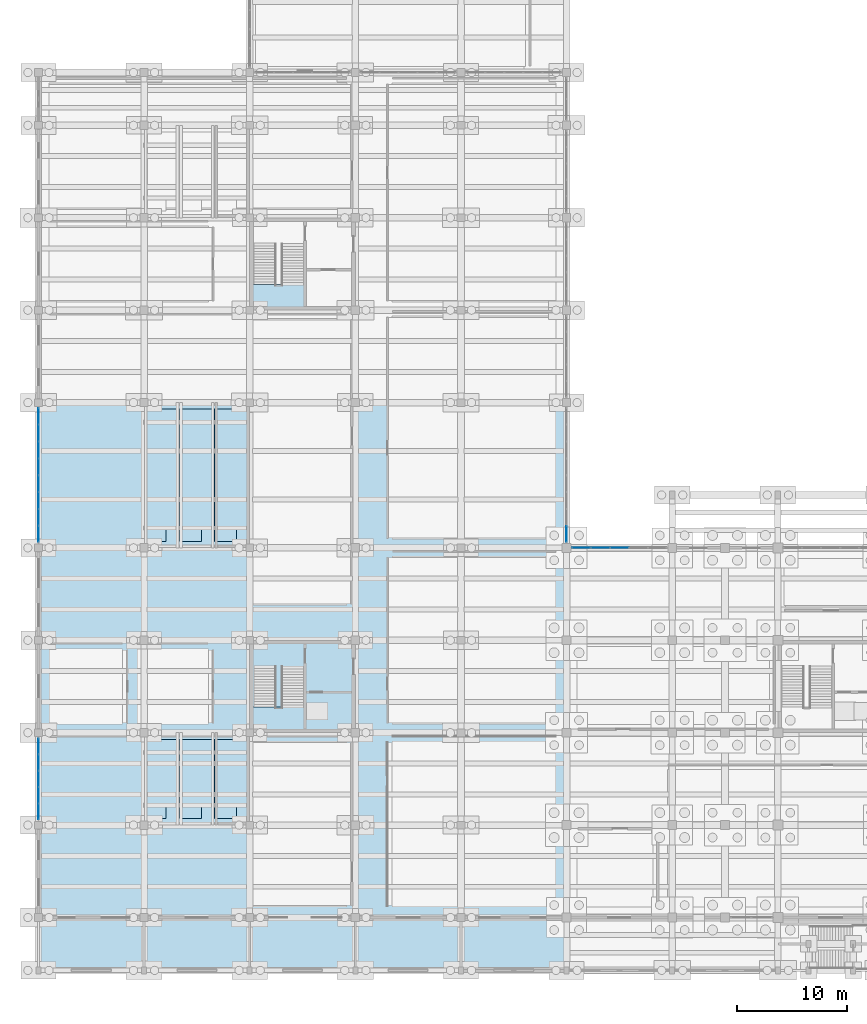
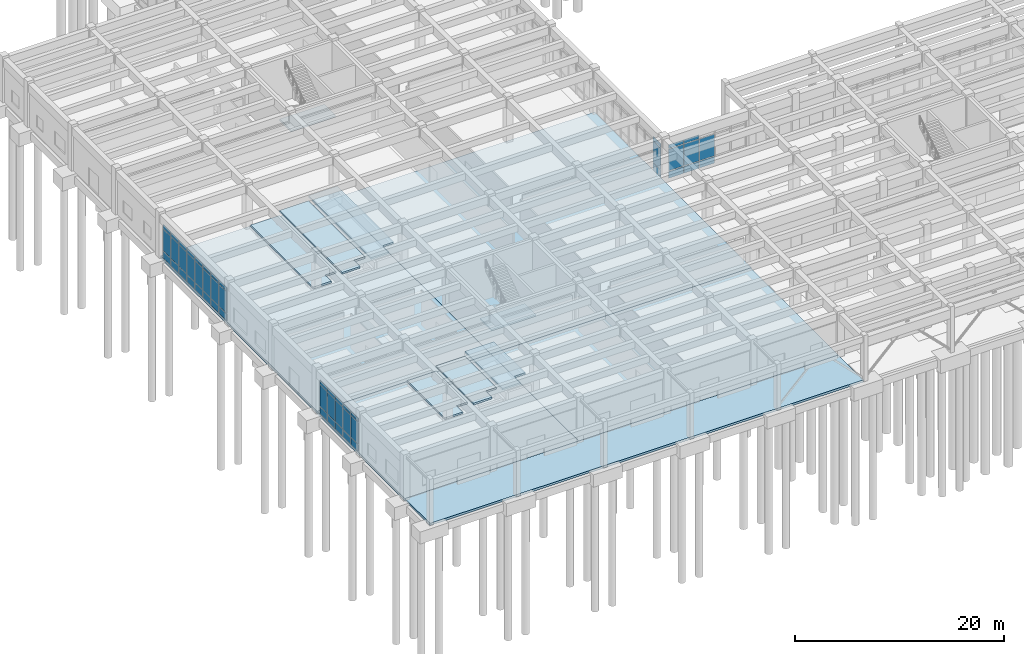
# One storey, part 56 of 102: 50 plates, 13 slabs, 6 elements without a shape of their own.
"""IFC4 building model written with IfcOpenShell, lengths in metres."""

from ifc_helpers import new_model, si_unit, direction, frame, origin, origin_2d, place, context, subcontext, project, spatial, polyline, rectangle, outline, extrude, material, layer, layer_set, type_object, element, aggregate, save


model = new_model("IFC4")

# Units and contexts
model_context = context("Model", 3, precision=1e-05, world=origin(), true_north=direction((0.0, 1.0)))
body_context = subcontext(model_context, "Body", "Model", "MODEL_VIEW")
ifc_project = project(units=[si_unit("LENGTHUNIT", "METRE"), si_unit("AREAUNIT", "SQUARE_METRE"), si_unit("VOLUMEUNIT", "CUBIC_METRE"), si_unit("PLANEANGLEUNIT", "RADIAN"), si_unit("MASSUNIT", "GRAM", prefix="KILO")], contexts=[model_context])

# Site, building, storey
site_placement = place(None, origin())
site = spatial("IfcSite", under=ifc_project, at=site_placement, CompositionType="ELEMENT")
building_placement = place(site_placement, origin())
building = spatial("IfcBuilding", under=site, at=building_placement, Name="Kolvemor Railside Polytechnic", CompositionType="ELEMENT")
storey_placement = place(building_placement, origin())
storey = spatial("IfcBuildingStorey", under=building, at=storey_placement, Name="L00", CompositionType="ELEMENT", Elevation=0.0)

# Curtain wall, plates
ifc_material_1 = material(Name="Anodised marine aluminium and laminated low-E glass", Category="aluminium")
ifc_layer_1 = layer(ifc_material_1, 0.179931640625, Name="CW-UNIT-STD")
ifc_layer_set_1 = layer_set([ifc_layer_1], Name="Anodised marine aluminium and laminated low-E glass")
curtain_wall_type = type_object("IfcCurtainWallType", Name="CW-UNIT-STD", PredefinedType="USERDEFINED", material=ifc_layer_set_1)
curtain_wall_1_placement = place(storey_placement, origin())
curtain_wall_1 = element("IfcCurtainWall", 1, at=curtain_wall_1_placement, inside=storey, type_object=curtain_wall_type, Name="Curtain Wall L00-106", ObjectType="UNITISED CURTAIN WALL", PredefinedType="USERDEFINED")
ifc_material_2 = material(Name="Hurricane-laminated solar-control low-E glass", Category="glass")
ifc_layer_2 = layer(ifc_material_2, 0.02392578125, Name="CWP-GLZ-02")
ifc_layer_set_2 = layer_set([ifc_layer_2], Name="Hurricane-laminated solar-control low-E glass")
plate_type_1 = type_object("IfcPlateType", Name="CWP-GLZ-02", PredefinedType="CURTAIN_PANEL", material=ifc_layer_set_2)
plate_1_placement = place(storey_placement, frame((52.800048828125, 38.39990234375, 0.06494140625), z_axis=(0.0, 0.0, 1.0), x_axis=(-1.0, 0.0, 0.0)))
plate_1 = element("IfcPlate", 2, at=plate_1_placement, type_object=plate_type_1, Name="CW-STD panel 3.1", PredefinedType="CURTAIN_PANEL", context=body_context, shape_type="SweptSolid", body=[
    extrude(rectangle(XDim=1.6669921875, YDim=0.02392578125, at=origin_2d()), origin(), (0.0, 0.0, 1.0), 0.802490234375),
])
plate_2_placement = place(storey_placement, frame((52.800048828125, 38.39990234375, 0.9326171875), z_axis=(0.0, 0.0, 1.0), x_axis=(-1.0, 0.0, 0.0)))
plate_2 = element("IfcPlate", 3, at=plate_2_placement, type_object=plate_type_1, Name="CW-STD panel 3.2", PredefinedType="CURTAIN_PANEL", context=body_context, shape_type="SweptSolid", body=[
    extrude(rectangle(XDim=1.6669921875, YDim=0.02392578125, at=origin_2d()), origin(), (0.0, 0.0, 1.0), 2.52490234375),
])
plate_3_placement = place(storey_placement, frame((51.068115234375, 38.39990234375, 0.06494140625), z_axis=(0.0, 0.0, 1.0), x_axis=(-1.0, 0.0, 0.0)))
plate_3 = element("IfcPlate", 4, at=plate_3_placement, type_object=plate_type_1, Name="CW-STD panel 4.1", PredefinedType="CURTAIN_PANEL", context=body_context, shape_type="SweptSolid", body=[
    extrude(rectangle(XDim=1.6669921875, YDim=0.02392578125, at=origin_2d()), origin(), (0.0, 0.0, 1.0), 0.802490234375),
])
plate_4_placement = place(storey_placement, frame((51.068115234375, 38.39990234375, 0.9326171875), z_axis=(0.0, 0.0, 1.0), x_axis=(-1.0, 0.0, 0.0)))
plate_4 = element("IfcPlate", 5, at=plate_4_placement, type_object=plate_type_1, Name="CW-STD panel 4.2", PredefinedType="CURTAIN_PANEL", context=body_context, shape_type="SweptSolid", body=[
    extrude(rectangle(XDim=1.6669921875, YDim=0.02392578125, at=origin_2d()), origin(), (0.0, 0.0, 1.0), 2.52490234375),
])
plate_5_placement = place(storey_placement, frame((51.068115234375, 38.39990234375, 3.5224609375), z_axis=(0.0, 0.0, 1.0), x_axis=(-1.0, 0.0, 0.0)))
plate_5 = element("IfcPlate", 6, at=plate_5_placement, type_object=plate_type_1, Name="CW-STD panel 4.3", PredefinedType="CURTAIN_PANEL", context=body_context, shape_type="SweptSolid", body=[
    extrude(rectangle(XDim=1.6669921875, YDim=0.02392578125, at=origin_2d()), origin(), (0.0, 0.0, 1.0), 0.452392578125),
])
plate_6_placement = place(storey_placement, frame((49.352294921875, 38.39990234375, 0.06494140625), z_axis=(0.0, 0.0, 1.0), x_axis=(-1.0, 0.0, 0.0)))
plate_6 = element("IfcPlate", 7, at=plate_6_placement, type_object=plate_type_1, Name="CW-STD panel 5.1", PredefinedType="CURTAIN_PANEL", context=body_context, shape_type="SweptSolid", body=[
    extrude(rectangle(XDim=1.634521484375, YDim=0.02392578125, at=origin_2d()), origin(), (0.0, 0.0, 1.0), 0.802490234375),
])
plate_7_placement = place(storey_placement, frame((49.352294921875, 38.39990234375, 0.9326171875), z_axis=(0.0, 0.0, 1.0), x_axis=(-1.0, 0.0, 0.0)))
plate_7 = element("IfcPlate", 8, at=plate_7_placement, type_object=plate_type_1, Name="CW-STD panel 5.2", PredefinedType="CURTAIN_PANEL", context=body_context, shape_type="SweptSolid", body=[
    extrude(rectangle(XDim=1.634521484375, YDim=0.02392578125, at=origin_2d()), origin(), (0.0, 0.0, 1.0), 2.52490234375),
])
plate_8_placement = place(storey_placement, frame((49.352294921875, 38.39990234375, 3.5224609375), z_axis=(0.0, 0.0, 1.0), x_axis=(-1.0, 0.0, 0.0)))
plate_8 = element("IfcPlate", 9, at=plate_8_placement, type_object=plate_type_1, Name="CW-STD panel 5.3", PredefinedType="CURTAIN_PANEL", context=body_context, shape_type="SweptSolid", body=[
    extrude(rectangle(XDim=1.634521484375, YDim=0.02392578125, at=origin_2d()), origin(), (0.0, 0.0, 1.0), 0.452392578125),
])
aggregate(curtain_wall_1, [plate_1, plate_2, plate_3, plate_4, plate_5, plate_6, plate_7, plate_8])

curtain_wall_2_placement = place(storey_placement, origin())
curtain_wall_2 = element("IfcCurtainWall", 10, at=curtain_wall_2_placement, inside=storey, type_object=curtain_wall_type, Name="Curtain Wall L00-046", ObjectType="UNITISED CURTAIN WALL", PredefinedType="USERDEFINED")
ifc_material_3 = material(Name="Hurricane-laminated solar-control low-E glass", Category="glass")
ifc_layer_3 = layer(ifc_material_3, 0.02587890625, Name="CWP-GLZ-03")
ifc_layer_set_3 = layer_set([ifc_layer_3], Name="Hurricane-laminated solar-control low-E glass")
plate_type_2 = type_object("IfcPlateType", Name="CWP-GLZ-03", PredefinedType="CURTAIN_PANEL", material=ifc_layer_set_3)
plate_9_placement = place(storey_placement, frame((0.0, 20.36767578125, 0.06494140625), z_axis=(0.0, 0.0, 1.0), x_axis=(0.0, -1.0, 0.0)))
plate_9 = element("IfcPlate", 11, at=plate_9_placement, type_object=plate_type_2, Name="CW-STD panel 1.1", PredefinedType="CURTAIN_PANEL", context=body_context, shape_type="SweptSolid", body=[
    extrude(rectangle(XDim=1.39453125, YDim=0.02587890625, at=origin_2d()), origin(), (0.0, 0.0, 1.0), 0.802490234375),
])
plate_10_placement = place(storey_placement, frame((0.0, 20.36767578125, 0.9326171875), z_axis=(0.0, 0.0, 1.0), x_axis=(0.0, -1.0, 0.0)))
plate_10 = element("IfcPlate", 12, at=plate_10_placement, type_object=plate_type_2, Name="CW-STD panel 1.2", PredefinedType="CURTAIN_PANEL", context=body_context, shape_type="SweptSolid", body=[
    extrude(rectangle(XDim=1.39453125, YDim=0.02587890625, at=origin_2d()), origin(), (0.0, 0.0, 1.0), 2.52490234375),
])
plate_11_placement = place(storey_placement, frame((0.0, 20.36767578125, 3.5224609375), z_axis=(0.0, 0.0, 1.0), x_axis=(0.0, -1.0, 0.0)))
plate_11 = element("IfcPlate", 13, at=plate_11_placement, type_object=plate_type_2, Name="CW-STD panel 1.3", PredefinedType="CURTAIN_PANEL", context=body_context, shape_type="SweptSolid", body=[
    extrude(rectangle(XDim=1.39453125, YDim=0.02587890625, at=origin_2d()), origin(), (0.0, 0.0, 1.0), 0.452392578125),
])
plate_12_placement = place(storey_placement, frame((0.0, 18.89208984375, 0.06494140625), z_axis=(0.0, 0.0, 1.0), x_axis=(0.0, -1.0, 0.0)))
plate_12 = element("IfcPlate", 14, at=plate_12_placement, type_object=plate_type_2, Name="CW-STD panel 2.1", PredefinedType="CURTAIN_PANEL", context=body_context, shape_type="SweptSolid", body=[
    extrude(rectangle(XDim=1.427001953125, YDim=0.02587890625, at=origin_2d()), origin(), (0.0, 0.0, 1.0), 0.802490234375),
])
plate_13_placement = place(storey_placement, frame((0.0, 18.89208984375, 0.9326171875), z_axis=(0.0, 0.0, 1.0), x_axis=(0.0, -1.0, 0.0)))
plate_13 = element("IfcPlate", 15, at=plate_13_placement, type_object=plate_type_2, Name="CW-STD panel 2.2", PredefinedType="CURTAIN_PANEL", context=body_context, shape_type="SweptSolid", body=[
    extrude(rectangle(XDim=1.427001953125, YDim=0.02587890625, at=origin_2d()), origin(), (0.0, 0.0, 1.0), 2.52490234375),
])
plate_14_placement = place(storey_placement, frame((0.0, 18.89208984375, 3.5224609375), z_axis=(0.0, 0.0, 1.0), x_axis=(0.0, -1.0, 0.0)))
plate_14 = element("IfcPlate", 16, at=plate_14_placement, type_object=plate_type_2, Name="CW-STD panel 2.3", PredefinedType="CURTAIN_PANEL", context=body_context, shape_type="SweptSolid", body=[
    extrude(rectangle(XDim=1.427001953125, YDim=0.02587890625, at=origin_2d()), origin(), (0.0, 0.0, 1.0), 0.452392578125),
])
plate_15_placement = place(storey_placement, frame((0.0, 17.39990234375, 0.06494140625), z_axis=(0.0, 0.0, 1.0), x_axis=(0.0, -1.0, 0.0)))
plate_15 = element("IfcPlate", 17, at=plate_15_placement, type_object=plate_type_2, Name="CW-STD panel 3.1", PredefinedType="CURTAIN_PANEL", context=body_context, shape_type="SweptSolid", body=[
    extrude(rectangle(XDim=1.427001953125, YDim=0.02587890625, at=origin_2d()), origin(), (0.0, 0.0, 1.0), 0.802490234375),
])
plate_16_placement = place(storey_placement, frame((0.0, 17.39990234375, 0.9326171875), z_axis=(0.0, 0.0, 1.0), x_axis=(0.0, -1.0, 0.0)))
plate_16 = element("IfcPlate", 18, at=plate_16_placement, type_object=plate_type_2, Name="CW-STD panel 3.2", PredefinedType="CURTAIN_PANEL", context=body_context, shape_type="SweptSolid", body=[
    extrude(rectangle(XDim=1.427001953125, YDim=0.02587890625, at=origin_2d()), origin(), (0.0, 0.0, 1.0), 2.52490234375),
])
plate_17_placement = place(storey_placement, frame((0.0, 17.39990234375, 3.5224609375), z_axis=(0.0, 0.0, 1.0), x_axis=(0.0, -1.0, 0.0)))
plate_17 = element("IfcPlate", 19, at=plate_17_placement, type_object=plate_type_2, Name="CW-STD panel 3.3", PredefinedType="CURTAIN_PANEL", context=body_context, shape_type="SweptSolid", body=[
    extrude(rectangle(XDim=1.427001953125, YDim=0.02587890625, at=origin_2d()), origin(), (0.0, 0.0, 1.0), 0.452392578125),
])
plate_18_placement = place(storey_placement, frame((0.0, 15.907958984375, 0.06494140625), z_axis=(0.0, 0.0, 1.0), x_axis=(0.0, -1.0, 0.0)))
plate_18 = element("IfcPlate", 20, at=plate_18_placement, type_object=plate_type_2, Name="CW-STD panel 4.1", PredefinedType="CURTAIN_PANEL", context=body_context, shape_type="SweptSolid", body=[
    extrude(rectangle(XDim=1.427001953125, YDim=0.02587890625, at=origin_2d()), origin(), (0.0, 0.0, 1.0), 0.802490234375),
])
plate_19_placement = place(storey_placement, frame((0.0, 15.907958984375, 0.9326171875), z_axis=(0.0, 0.0, 1.0), x_axis=(0.0, -1.0, 0.0)))
plate_19 = element("IfcPlate", 21, at=plate_19_placement, type_object=plate_type_2, Name="CW-STD panel 4.2", PredefinedType="CURTAIN_PANEL", context=body_context, shape_type="SweptSolid", body=[
    extrude(rectangle(XDim=1.427001953125, YDim=0.02587890625, at=origin_2d()), origin(), (0.0, 0.0, 1.0), 2.52490234375),
])
plate_20_placement = place(storey_placement, frame((0.0, 15.907958984375, 3.5224609375), z_axis=(0.0, 0.0, 1.0), x_axis=(0.0, -1.0, 0.0)))
plate_20 = element("IfcPlate", 22, at=plate_20_placement, type_object=plate_type_2, Name="CW-STD panel 4.3", PredefinedType="CURTAIN_PANEL", context=body_context, shape_type="SweptSolid", body=[
    extrude(rectangle(XDim=1.427001953125, YDim=0.02587890625, at=origin_2d()), origin(), (0.0, 0.0, 1.0), 0.452392578125),
])
plate_21_placement = place(storey_placement, frame((0.0, 14.43212890625, 0.06494140625), z_axis=(0.0, 0.0, 1.0), x_axis=(0.0, -1.0, 0.0)))
plate_21 = element("IfcPlate", 23, at=plate_21_placement, type_object=plate_type_2, Name="CW-STD panel 5.1", PredefinedType="CURTAIN_PANEL", context=body_context, shape_type="SweptSolid", body=[
    extrude(rectangle(XDim=1.39453125, YDim=0.02587890625, at=origin_2d()), origin(), (0.0, 0.0, 1.0), 0.802490234375),
])
plate_22_placement = place(storey_placement, frame((0.0, 14.43212890625, 0.9326171875), z_axis=(0.0, 0.0, 1.0), x_axis=(0.0, -1.0, 0.0)))
plate_22 = element("IfcPlate", 24, at=plate_22_placement, type_object=plate_type_2, Name="CW-STD panel 5.2", PredefinedType="CURTAIN_PANEL", context=body_context, shape_type="SweptSolid", body=[
    extrude(rectangle(XDim=1.39453125, YDim=0.02587890625, at=origin_2d()), origin(), (0.0, 0.0, 1.0), 2.52490234375),
])
plate_23_placement = place(storey_placement, frame((0.0, 14.43212890625, 3.5224609375), z_axis=(0.0, 0.0, 1.0), x_axis=(0.0, -1.0, 0.0)))
plate_23 = element("IfcPlate", 25, at=plate_23_placement, type_object=plate_type_2, Name="CW-STD panel 5.3", PredefinedType="CURTAIN_PANEL", context=body_context, shape_type="SweptSolid", body=[
    extrude(rectangle(XDim=1.39453125, YDim=0.02587890625, at=origin_2d()), origin(), (0.0, 0.0, 1.0), 0.452392578125),
])
aggregate(curtain_wall_2, [plate_9, plate_10, plate_11, plate_12, plate_13, plate_14, plate_15, plate_16, plate_17, plate_18, plate_19, plate_20, plate_21, plate_22, plate_23])

curtain_wall_3_placement = place(storey_placement, origin())
curtain_wall_3 = element("IfcCurtainWall", 26, at=curtain_wall_3_placement, inside=storey, type_object=curtain_wall_type, Name="Curtain Wall L00-052", ObjectType="UNITISED CURTAIN WALL", PredefinedType="USERDEFINED")
ifc_material_4 = material(Name="Hurricane-laminated solar-control low-E glass", Category="glass")
ifc_layer_4 = layer(ifc_material_4, 0.031982421875, Name="CWP-GLZ-06")
ifc_layer_set_4 = layer_set([ifc_layer_4], Name="Hurricane-laminated solar-control low-E glass")
plate_type_3 = type_object("IfcPlateType", Name="CWP-GLZ-06", PredefinedType="CURTAIN_PANEL", material=ifc_layer_set_4)
plate_24_placement = place(storey_placement, frame((0.0, 50.347412109375, 0.06494140625), z_axis=(0.0, 0.0, 1.0), x_axis=(0.0, -1.0, 0.0)))
plate_24 = element("IfcPlate", 27, at=plate_24_placement, type_object=plate_type_3, Name="CW-STD panel 1.1", PredefinedType="CURTAIN_PANEL", context=body_context, shape_type="SweptSolid", body=[
    extrude(rectangle(XDim=1.43505859375, YDim=0.031982421875, at=origin_2d()), origin(), (0.0, 0.0, 1.0), 0.802490234375),
])
plate_25_placement = place(storey_placement, frame((0.0, 50.347412109375, 0.9326171875), z_axis=(0.0, 0.0, 1.0), x_axis=(0.0, -1.0, 0.0)))
plate_25 = element("IfcPlate", 28, at=plate_25_placement, type_object=plate_type_3, Name="CW-STD panel 1.2", PredefinedType="CURTAIN_PANEL", context=body_context, shape_type="SweptSolid", body=[
    extrude(rectangle(XDim=1.43505859375, YDim=0.031982421875, at=origin_2d()), origin(), (0.0, 0.0, 1.0), 2.52490234375),
])
plate_26_placement = place(storey_placement, frame((0.0, 50.347412109375, 3.5224609375), z_axis=(0.0, 0.0, 1.0), x_axis=(0.0, -1.0, 0.0)))
plate_26 = element("IfcPlate", 29, at=plate_26_placement, type_object=plate_type_3, Name="CW-STD panel 1.3", PredefinedType="CURTAIN_PANEL", context=body_context, shape_type="SweptSolid", body=[
    extrude(rectangle(XDim=1.43505859375, YDim=0.031982421875, at=origin_2d()), origin(), (0.0, 0.0, 1.0), 0.452392578125),
])
plate_27_placement = place(storey_placement, frame((0.0, 48.831298828125, 0.06494140625), z_axis=(0.0, 0.0, 1.0), x_axis=(0.0, -1.0, 0.0)))
plate_27 = element("IfcPlate", 30, at=plate_27_placement, type_object=plate_type_3, Name="CW-STD panel 2.1", PredefinedType="CURTAIN_PANEL", context=body_context, shape_type="SweptSolid", body=[
    extrude(rectangle(XDim=1.467529296875, YDim=0.031982421875, at=origin_2d()), origin(), (0.0, 0.0, 1.0), 0.802490234375),
])
plate_28_placement = place(storey_placement, frame((0.0, 48.831298828125, 0.9326171875), z_axis=(0.0, 0.0, 1.0), x_axis=(0.0, -1.0, 0.0)))
plate_28 = element("IfcPlate", 31, at=plate_28_placement, type_object=plate_type_3, Name="CW-STD panel 2.2", PredefinedType="CURTAIN_PANEL", context=body_context, shape_type="SweptSolid", body=[
    extrude(rectangle(XDim=1.467529296875, YDim=0.031982421875, at=origin_2d()), origin(), (0.0, 0.0, 1.0), 2.52490234375),
])
plate_29_placement = place(storey_placement, frame((0.0, 48.831298828125, 3.5224609375), z_axis=(0.0, 0.0, 1.0), x_axis=(0.0, -1.0, 0.0)))
plate_29 = element("IfcPlate", 32, at=plate_29_placement, type_object=plate_type_3, Name="CW-STD panel 2.3", PredefinedType="CURTAIN_PANEL", context=body_context, shape_type="SweptSolid", body=[
    extrude(rectangle(XDim=1.467529296875, YDim=0.031982421875, at=origin_2d()), origin(), (0.0, 0.0, 1.0), 0.452392578125),
])
plate_30_placement = place(storey_placement, frame((0.0, 47.298828125, 0.06494140625), z_axis=(0.0, 0.0, 1.0), x_axis=(0.0, -1.0, 0.0)))
plate_30 = element("IfcPlate", 33, at=plate_30_placement, type_object=plate_type_3, Name="CW-STD panel 3.1", PredefinedType="CURTAIN_PANEL", context=body_context, shape_type="SweptSolid", body=[
    extrude(rectangle(XDim=1.467529296875, YDim=0.031982421875, at=origin_2d()), origin(), (0.0, 0.0, 1.0), 0.802490234375),
])
plate_31_placement = place(storey_placement, frame((0.0, 47.298828125, 0.9326171875), z_axis=(0.0, 0.0, 1.0), x_axis=(0.0, -1.0, 0.0)))
plate_31 = element("IfcPlate", 34, at=plate_31_placement, type_object=plate_type_3, Name="CW-STD panel 3.2", PredefinedType="CURTAIN_PANEL", context=body_context, shape_type="SweptSolid", body=[
    extrude(rectangle(XDim=1.467529296875, YDim=0.031982421875, at=origin_2d()), origin(), (0.0, 0.0, 1.0), 2.52490234375),
])
plate_32_placement = place(storey_placement, frame((0.0, 47.298828125, 3.5224609375), z_axis=(0.0, 0.0, 1.0), x_axis=(0.0, -1.0, 0.0)))
plate_32 = element("IfcPlate", 35, at=plate_32_placement, type_object=plate_type_3, Name="CW-STD panel 3.3", PredefinedType="CURTAIN_PANEL", context=body_context, shape_type="SweptSolid", body=[
    extrude(rectangle(XDim=1.467529296875, YDim=0.031982421875, at=origin_2d()), origin(), (0.0, 0.0, 1.0), 0.452392578125),
])
plate_33_placement = place(storey_placement, frame((0.0, 45.766357421875, 0.06494140625), z_axis=(0.0, 0.0, 1.0), x_axis=(0.0, -1.0, 0.0)))
plate_33 = element("IfcPlate", 36, at=plate_33_placement, type_object=plate_type_3, Name="CW-STD panel 4.1", PredefinedType="CURTAIN_PANEL", context=body_context, shape_type="SweptSolid", body=[
    extrude(rectangle(XDim=1.467529296875, YDim=0.031982421875, at=origin_2d()), origin(), (0.0, 0.0, 1.0), 0.802490234375),
])
plate_34_placement = place(storey_placement, frame((0.0, 45.766357421875, 0.9326171875), z_axis=(0.0, 0.0, 1.0), x_axis=(0.0, -1.0, 0.0)))
plate_34 = element("IfcPlate", 37, at=plate_34_placement, type_object=plate_type_3, Name="CW-STD panel 4.2", PredefinedType="CURTAIN_PANEL", context=body_context, shape_type="SweptSolid", body=[
    extrude(rectangle(XDim=1.467529296875, YDim=0.031982421875, at=origin_2d()), origin(), (0.0, 0.0, 1.0), 2.52490234375),
])
plate_35_placement = place(storey_placement, frame((0.0, 45.766357421875, 3.5224609375), z_axis=(0.0, 0.0, 1.0), x_axis=(0.0, -1.0, 0.0)))
plate_35 = element("IfcPlate", 38, at=plate_35_placement, type_object=plate_type_3, Name="CW-STD panel 4.3", PredefinedType="CURTAIN_PANEL", context=body_context, shape_type="SweptSolid", body=[
    extrude(rectangle(XDim=1.467529296875, YDim=0.031982421875, at=origin_2d()), origin(), (0.0, 0.0, 1.0), 0.452392578125),
])
plate_36_placement = place(storey_placement, frame((0.0, 44.233642578125, 0.06494140625), z_axis=(0.0, 0.0, 1.0), x_axis=(0.0, -1.0, 0.0)))
plate_36 = element("IfcPlate", 39, at=plate_36_placement, type_object=plate_type_3, Name="CW-STD panel 5.1", PredefinedType="CURTAIN_PANEL", context=body_context, shape_type="SweptSolid", body=[
    extrude(rectangle(XDim=1.467529296875, YDim=0.031982421875, at=origin_2d()), origin(), (0.0, 0.0, 1.0), 0.802490234375),
])
plate_37_placement = place(storey_placement, frame((0.0, 44.233642578125, 0.9326171875), z_axis=(0.0, 0.0, 1.0), x_axis=(0.0, -1.0, 0.0)))
plate_37 = element("IfcPlate", 40, at=plate_37_placement, type_object=plate_type_3, Name="CW-STD panel 5.2", PredefinedType="CURTAIN_PANEL", context=body_context, shape_type="SweptSolid", body=[
    extrude(rectangle(XDim=1.467529296875, YDim=0.031982421875, at=origin_2d()), origin(), (0.0, 0.0, 1.0), 2.52490234375),
])
plate_38_placement = place(storey_placement, frame((0.0, 44.233642578125, 3.5224609375), z_axis=(0.0, 0.0, 1.0), x_axis=(0.0, -1.0, 0.0)))
plate_38 = element("IfcPlate", 41, at=plate_38_placement, type_object=plate_type_3, Name="CW-STD panel 5.3", PredefinedType="CURTAIN_PANEL", context=body_context, shape_type="SweptSolid", body=[
    extrude(rectangle(XDim=1.467529296875, YDim=0.031982421875, at=origin_2d()), origin(), (0.0, 0.0, 1.0), 0.452392578125),
])
plate_39_placement = place(storey_placement, frame((0.0, 42.701171875, 0.06494140625), z_axis=(0.0, 0.0, 1.0), x_axis=(0.0, -1.0, 0.0)))
plate_39 = element("IfcPlate", 42, at=plate_39_placement, type_object=plate_type_3, Name="CW-STD panel 6.1", PredefinedType="CURTAIN_PANEL", context=body_context, shape_type="SweptSolid", body=[
    extrude(rectangle(XDim=1.467529296875, YDim=0.031982421875, at=origin_2d()), origin(), (0.0, 0.0, 1.0), 0.802490234375),
])
plate_40_placement = place(storey_placement, frame((0.0, 42.701171875, 0.9326171875), z_axis=(0.0, 0.0, 1.0), x_axis=(0.0, -1.0, 0.0)))
plate_40 = element("IfcPlate", 43, at=plate_40_placement, type_object=plate_type_3, Name="CW-STD panel 6.2", PredefinedType="CURTAIN_PANEL", context=body_context, shape_type="SweptSolid", body=[
    extrude(rectangle(XDim=1.467529296875, YDim=0.031982421875, at=origin_2d()), origin(), (0.0, 0.0, 1.0), 2.52490234375),
])
plate_41_placement = place(storey_placement, frame((0.0, 42.701171875, 3.5224609375), z_axis=(0.0, 0.0, 1.0), x_axis=(0.0, -1.0, 0.0)))
plate_41 = element("IfcPlate", 44, at=plate_41_placement, type_object=plate_type_3, Name="CW-STD panel 6.3", PredefinedType="CURTAIN_PANEL", context=body_context, shape_type="SweptSolid", body=[
    extrude(rectangle(XDim=1.467529296875, YDim=0.031982421875, at=origin_2d()), origin(), (0.0, 0.0, 1.0), 0.452392578125),
])
plate_42_placement = place(storey_placement, frame((0.0, 41.168701171875, 0.06494140625), z_axis=(0.0, 0.0, 1.0), x_axis=(0.0, -1.0, 0.0)))
plate_42 = element("IfcPlate", 45, at=plate_42_placement, type_object=plate_type_3, Name="CW-STD panel 7.1", PredefinedType="CURTAIN_PANEL", context=body_context, shape_type="SweptSolid", body=[
    extrude(rectangle(XDim=1.467529296875, YDim=0.031982421875, at=origin_2d()), origin(), (0.0, 0.0, 1.0), 0.802490234375),
])
plate_43_placement = place(storey_placement, frame((0.0, 41.168701171875, 0.9326171875), z_axis=(0.0, 0.0, 1.0), x_axis=(0.0, -1.0, 0.0)))
plate_43 = element("IfcPlate", 46, at=plate_43_placement, type_object=plate_type_3, Name="CW-STD panel 7.2", PredefinedType="CURTAIN_PANEL", context=body_context, shape_type="SweptSolid", body=[
    extrude(rectangle(XDim=1.467529296875, YDim=0.031982421875, at=origin_2d()), origin(), (0.0, 0.0, 1.0), 2.52490234375),
])
plate_44_placement = place(storey_placement, frame((0.0, 41.168701171875, 3.5224609375), z_axis=(0.0, 0.0, 1.0), x_axis=(0.0, -1.0, 0.0)))
plate_44 = element("IfcPlate", 47, at=plate_44_placement, type_object=plate_type_3, Name="CW-STD panel 7.3", PredefinedType="CURTAIN_PANEL", context=body_context, shape_type="SweptSolid", body=[
    extrude(rectangle(XDim=1.467529296875, YDim=0.031982421875, at=origin_2d()), origin(), (0.0, 0.0, 1.0), 0.452392578125),
])
plate_45_placement = place(storey_placement, frame((0.0, 39.652587890625, 0.06494140625), z_axis=(0.0, 0.0, 1.0), x_axis=(0.0, -1.0, 0.0)))
plate_45 = element("IfcPlate", 48, at=plate_45_placement, type_object=plate_type_3, Name="CW-STD panel 8.1", PredefinedType="CURTAIN_PANEL", context=body_context, shape_type="SweptSolid", body=[
    extrude(rectangle(XDim=1.43505859375, YDim=0.031982421875, at=origin_2d()), origin(), (0.0, 0.0, 1.0), 0.802490234375),
])
plate_46_placement = place(storey_placement, frame((0.0, 39.652587890625, 0.9326171875), z_axis=(0.0, 0.0, 1.0), x_axis=(0.0, -1.0, 0.0)))
plate_46 = element("IfcPlate", 49, at=plate_46_placement, type_object=plate_type_3, Name="CW-STD panel 8.2", PredefinedType="CURTAIN_PANEL", context=body_context, shape_type="SweptSolid", body=[
    extrude(rectangle(XDim=1.43505859375, YDim=0.031982421875, at=origin_2d()), origin(), (0.0, 0.0, 1.0), 2.52490234375),
])
plate_47_placement = place(storey_placement, frame((0.0, 39.652587890625, 3.5224609375), z_axis=(0.0, 0.0, 1.0), x_axis=(0.0, -1.0, 0.0)))
plate_47 = element("IfcPlate", 50, at=plate_47_placement, type_object=plate_type_3, Name="CW-STD panel 8.3", PredefinedType="CURTAIN_PANEL", context=body_context, shape_type="SweptSolid", body=[
    extrude(rectangle(XDim=1.43505859375, YDim=0.031982421875, at=origin_2d()), origin(), (0.0, 0.0, 1.0), 0.452392578125),
])
aggregate(curtain_wall_3, [plate_24, plate_25, plate_26, plate_27, plate_28, plate_29, plate_30, plate_31, plate_32, plate_33, plate_34, plate_35, plate_36, plate_37, plate_38, plate_39, plate_40, plate_41, plate_42, plate_43, plate_44, plate_45, plate_46, plate_47])

curtain_wall_4_placement = place(storey_placement, origin())
curtain_wall_4 = element("IfcCurtainWall", 51, at=curtain_wall_4_placement, inside=storey, type_object=curtain_wall_type, Name="Curtain Wall L00-055", ObjectType="UNITISED CURTAIN WALL", PredefinedType="USERDEFINED")
ifc_material_5 = material(Name="Hurricane-laminated solar-control low-E glass", Category="glass")
ifc_layer_5 = layer(ifc_material_5, 0.035888671875, Name="CWP-GLZ-08")
ifc_layer_set_5 = layer_set([ifc_layer_5], Name="Hurricane-laminated solar-control low-E glass")
plate_type_4 = type_object("IfcPlateType", Name="CWP-GLZ-08", PredefinedType="CURTAIN_PANEL", material=ifc_layer_set_5)
plate_48_placement = place(storey_placement, frame((48.0, 39.652587890625, 0.06494140625), z_axis=(0.0, 0.0, 1.0), x_axis=(0.0, 1.0, 0.0)))
plate_48 = element("IfcPlate", 52, at=plate_48_placement, type_object=plate_type_4, Name="CW-STD panel 1.1", PredefinedType="CURTAIN_PANEL", context=body_context, shape_type="SweptSolid", body=[
    extrude(rectangle(XDim=1.43505859375, YDim=0.035888671875, at=origin_2d()), origin(), (0.0, 0.0, 1.0), 0.802490234375),
])
plate_49_placement = place(storey_placement, frame((48.0, 39.652587890625, 0.9326171875), z_axis=(0.0, 0.0, 1.0), x_axis=(0.0, 1.0, 0.0)))
plate_49 = element("IfcPlate", 53, at=plate_49_placement, type_object=plate_type_4, Name="CW-STD panel 1.2", PredefinedType="CURTAIN_PANEL", context=body_context, shape_type="SweptSolid", body=[
    extrude(rectangle(XDim=1.43505859375, YDim=0.035888671875, at=origin_2d()), origin(), (0.0, 0.0, 1.0), 2.52490234375),
])
plate_50_placement = place(storey_placement, frame((48.0, 39.652587890625, 3.5224609375), z_axis=(0.0, 0.0, 1.0), x_axis=(0.0, 1.0, 0.0)))
plate_50 = element("IfcPlate", 54, at=plate_50_placement, type_object=plate_type_4, Name="CW-STD panel 1.3", PredefinedType="CURTAIN_PANEL", context=body_context, shape_type="SweptSolid", body=[
    extrude(rectangle(XDim=1.43505859375, YDim=0.035888671875, at=origin_2d()), origin(), (0.0, 0.0, 1.0), 0.452392578125),
])
aggregate(curtain_wall_4, [plate_48, plate_49, plate_50])

# Slabs
ifc_material_6 = material(Name="Concrete C40/50", Category="concrete")
ifc_layer_6 = layer(ifc_material_6, 0.260009765625, Name="SLB-BASE-ARC")
ifc_layer_set_6 = layer_set([ifc_layer_6], Name="Concrete C40/50")
slab_type_1 = type_object("IfcSlabType", Name="SLB-BASE-ARC", PredefinedType="BASESLAB", material=ifc_layer_set_6)
slab_1_placement = place(storey_placement, frame((0.0, 0.0, -0.260009765625)))
element("IfcSlab", 55, at=slab_1_placement, inside=storey, type_object=slab_type_1, Name="South Storm Arcade Paving Slab L00-22", PredefinedType="BASESLAB", context=body_context, shape_type="SweptSolid", body=[
    extrude(outline(polyline([(0.0, 0.0), (47.925048828125, 0.0), (47.925048828125, 4.800048828125), (0.0, 4.800048828125), (0.0, 0.0)])), origin(), (0.0, 0.0, 1.0), 0.260009765625),
])
ifc_material_7 = material(Name="Concrete C40/50", Category="concrete")
ifc_layer_7 = layer(ifc_material_7, 0.300048828125, Name="SLB-BASE-STD")
ifc_layer_set_7 = layer_set([ifc_layer_7], Name="Concrete C40/50")
slab_type_2 = type_object("IfcSlabType", Name="SLB-BASE-STD", PredefinedType="BASESLAB", material=ifc_layer_set_7)
slab_2_placement = place(storey_placement, frame((0.0, 0.0, -0.300048828125)))
element("IfcSlab", 56, at=slab_2_placement, inside=storey, type_object=slab_type_2, Name="Lecture Wing Base Slab L00-08", PredefinedType="BASESLAB", context=body_context, shape_type="SweptSolid", body=[
    extrude(outline(polyline([(0.0, 4.800048828125), (19.199951171875, 4.800048828125), (19.199951171875, 21.60009765625), (0.0, 21.60009765625), (0.0, 4.800048828125)])), origin(), (0.0, 0.0, 1.0), 0.300048828125),
])
slab_3_placement = place(storey_placement, frame((0.0, 0.0, -0.300048828125)))
element("IfcSlab", 57, at=slab_3_placement, inside=storey, type_object=slab_type_2, Name="Lecture Wing Base Slab L00-09", PredefinedType="BASESLAB", context=body_context, shape_type="SweptSolid", body=[
    extrude(outline(polyline([(0.0, 21.60009765625), (19.199951171875, 21.60009765625), (19.199951171875, 51.60009765625), (0.0, 51.60009765625), (0.0, 21.60009765625)])), origin(), (0.0, 0.0, 1.0), 0.300048828125),
])
slab_4_placement = place(storey_placement, frame((0.0, 0.0, -0.300048828125)))
element("IfcSlab", 58, at=slab_4_placement, inside=storey, type_object=slab_type_2, Name="Lecture Wing Base Slab L00-11", PredefinedType="BASESLAB", context=body_context, shape_type="SweptSolid", body=[
    extrude(outline(polyline([(19.199951171875, 4.800048828125), (47.925048828125, 4.800048828125), (47.925048828125, 21.60009765625), (19.199951171875, 21.60009765625), (19.199951171875, 4.800048828125)])), origin(), (0.0, 0.0, 1.0), 0.300048828125),
])
slab_5_placement = place(storey_placement, frame((0.0, 0.0, -0.300048828125)))
element("IfcSlab", 59, at=slab_5_placement, inside=storey, type_object=slab_type_2, Name="Lecture Wing Base Slab L00-12", PredefinedType="BASESLAB", context=body_context, shape_type="SweptSolid", body=[
    extrude(outline(polyline([(19.199951171875, 21.60009765625), (48.0, 21.60009765625), (48.0, 51.60009765625), (19.199951171875, 51.60009765625), (19.199951171875, 21.60009765625)])), origin(), (0.0, 0.0, 1.0), 0.300048828125),
])

# Stair, slab
ifc_material_8 = material(Name="Concrete C40/50", Category="concrete")
stair_type = type_object("IfcStairType", Name="STR-CORE-540", PredefinedType="HALF_TURN_STAIR", material=ifc_material_8)
stair_1_placement = place(storey_placement, origin())
stair_1 = element("IfcStair", 60, at=stair_1_placement, inside=storey, type_object=stair_type, Name="Core Stair ST-4 (L00 to L01)", PredefinedType="HALF_TURN_STAIR")
ifc_material_9 = material(Name="Concrete C40/50", Category="concrete")
ifc_layer_8 = layer(ifc_material_9, 0.199951171875, Name="SLB-LND-200")
ifc_layer_set_8 = layer_set([ifc_layer_8], Name="Concrete C40/50")
slab_type_3 = type_object("IfcSlabType", Name="SLB-LND-200", PredefinedType="LANDING", material=ifc_layer_set_8)
slab_6_placement = place(storey_placement, frame((0.0, 0.0, 2.5)))
slab_6 = element("IfcSlab", 61, at=slab_6_placement, type_object=slab_type_3, Name="ST-4-L00 landing 1", PredefinedType="LANDING", context=body_context, shape_type="SweptSolid", body=[
    extrude(outline(polyline([(19.35009765625, 21.75), (24.300048828125, 21.75), (24.300048828125, 23.919921875), (19.35009765625, 23.919921875), (19.35009765625, 21.75)])), origin(), (0.0, 0.0, 1.0), 0.199951171875),
])
aggregate(stair_1, [slab_6])

stair_2_placement = place(storey_placement, origin())
stair_2 = element("IfcStair", 62, at=stair_2_placement, inside=storey, type_object=stair_type, Name="Core Stair ST-5 (L00 to L01)", PredefinedType="HALF_TURN_STAIR")
slab_7_placement = place(storey_placement, frame((0.0, 0.0, 2.5)))
slab_7 = element("IfcSlab", 63, at=slab_7_placement, type_object=slab_type_3, Name="ST-5-L00 landing 1", PredefinedType="LANDING", context=body_context, shape_type="SweptSolid", body=[
    extrude(outline(polyline([(19.35009765625, 60.14990234375), (24.300048828125, 60.14990234375), (24.300048828125, 62.320068359375), (19.35009765625, 62.320068359375), (19.35009765625, 60.14990234375)])), origin(), (0.0, 0.0, 1.0), 0.199951171875),
])
aggregate(stair_2, [slab_7])

# Slabs
ifc_material_10 = material(Name="Concrete C40/50", Category="concrete")
ifc_layer_9 = layer(ifc_material_10, 0.199951171875, Name="SLB-TIER-RC")
ifc_layer_set_9 = layer_set([ifc_layer_9], Name="Concrete C40/50")
slab_type_4 = type_object("IfcSlabType", Name="SLB-TIER-RC", PredefinedType="FLOOR", material=ifc_layer_set_9)
slab_8_placement = place(storey_placement, frame((0.0, 0.0, 0.39990234375)))
element("IfcSlab", 64, at=slab_8_placement, inside=storey, type_object=slab_type_4, Name="Seating Tier Slab LT1-T1", PredefinedType="FLOOR", context=body_context, shape_type="SweptSolid", body=[
    extrude(outline(polyline([(9.60009765625, 13.800048828125), (11.60009765625, 13.800048828125), (11.60009765625, 15.0), (12.800048828125, 15.0), (12.800048828125, 21.0), (9.60009765625, 21.0), (9.60009765625, 13.800048828125)])), origin(), (0.0, 0.0, 1.0), 0.2001953125),
])
slab_9_placement = place(storey_placement, frame((0.0, 0.0, 1.0)))
element("IfcSlab", 65, at=slab_9_placement, inside=storey, type_object=slab_type_4, Name="Seating Tier Slab LT1-T2", PredefinedType="FLOOR", context=body_context, shape_type="SweptSolid", body=[
    extrude(outline(polyline([(12.800048828125, 13.800048828125), (14.800048828125, 13.800048828125), (14.800048828125, 15.0), (16.0, 15.0), (16.0, 21.0), (12.800048828125, 21.0), (12.800048828125, 13.800048828125)])), origin(), (0.0, 0.0, 1.0), 0.199951171875),
])
slab_10_placement = place(storey_placement, frame((0.0, 0.0, 1.60009765625)))
element("IfcSlab", 66, at=slab_10_placement, inside=storey, type_object=slab_type_4, Name="Seating Tier Slab LT1-T3", PredefinedType="FLOOR", context=body_context, shape_type="SweptSolid", body=[
    extrude(outline(polyline([(16.0, 13.800048828125), (18.0, 13.800048828125), (18.0, 15.0), (19.199951171875, 15.0), (19.199951171875, 21.0), (16.0, 21.0), (16.0, 13.800048828125)])), origin(), (0.0, 0.0, 1.0), 0.199951171875),
])
slab_11_placement = place(storey_placement, frame((0.0, 0.0, 0.39990234375)))
element("IfcSlab", 67, at=slab_11_placement, inside=storey, type_object=slab_type_4, Name="Seating Tier Slab LT2-T1", PredefinedType="FLOOR", context=body_context, shape_type="SweptSolid", body=[
    extrude(outline(polyline([(9.60009765625, 39.0), (11.60009765625, 39.0), (11.60009765625, 40.199951171875), (12.800048828125, 40.199951171875), (12.800048828125, 51.0), (9.60009765625, 51.0), (9.60009765625, 39.0)])), origin(), (0.0, 0.0, 1.0), 0.2001953125),
])
slab_12_placement = place(storey_placement, frame((0.0, 0.0, 1.0)))
element("IfcSlab", 68, at=slab_12_placement, inside=storey, type_object=slab_type_4, Name="Seating Tier Slab LT2-T2", PredefinedType="FLOOR", context=body_context, shape_type="SweptSolid", body=[
    extrude(outline(polyline([(12.800048828125, 39.0), (14.800048828125, 39.0), (14.800048828125, 40.199951171875), (16.0, 40.199951171875), (16.0, 51.0), (12.800048828125, 51.0), (12.800048828125, 39.0)])), origin(), (0.0, 0.0, 1.0), 0.199951171875),
])
slab_13_placement = place(storey_placement, frame((0.0, 0.0, 1.60009765625)))
element("IfcSlab", 69, at=slab_13_placement, inside=storey, type_object=slab_type_4, Name="Seating Tier Slab LT2-T3", PredefinedType="FLOOR", context=body_context, shape_type="SweptSolid", body=[
    extrude(outline(polyline([(16.0, 39.0), (18.0, 39.0), (18.0, 40.199951171875), (19.199951171875, 40.199951171875), (19.199951171875, 51.0), (16.0, 51.0), (16.0, 39.0)])), origin(), (0.0, 0.0, 1.0), 0.199951171875),
])

save(model, "model.ifc")
